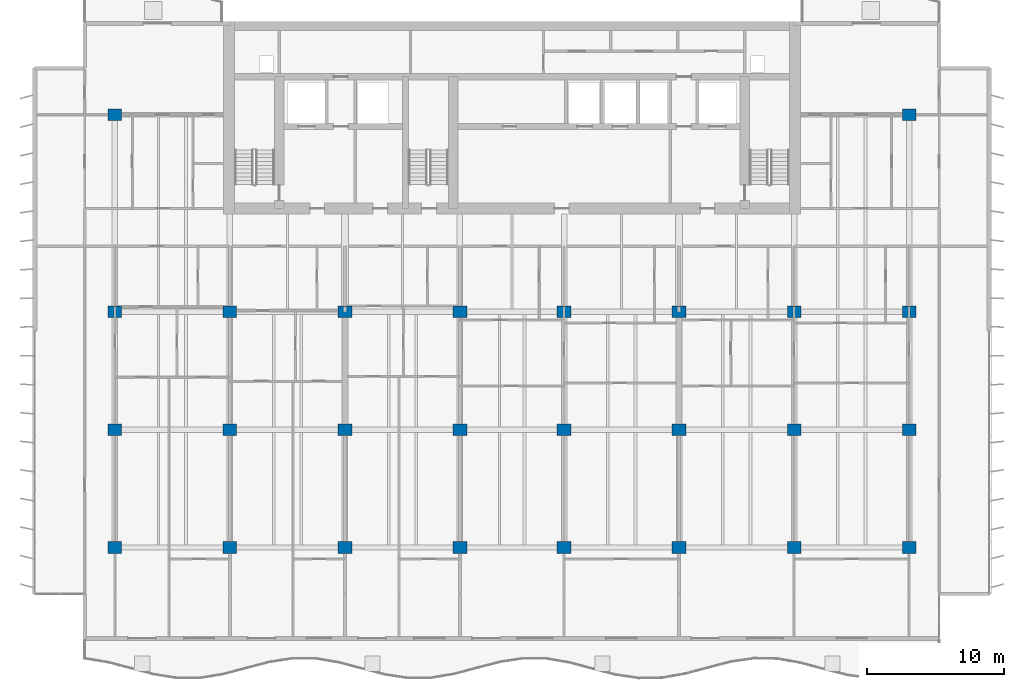
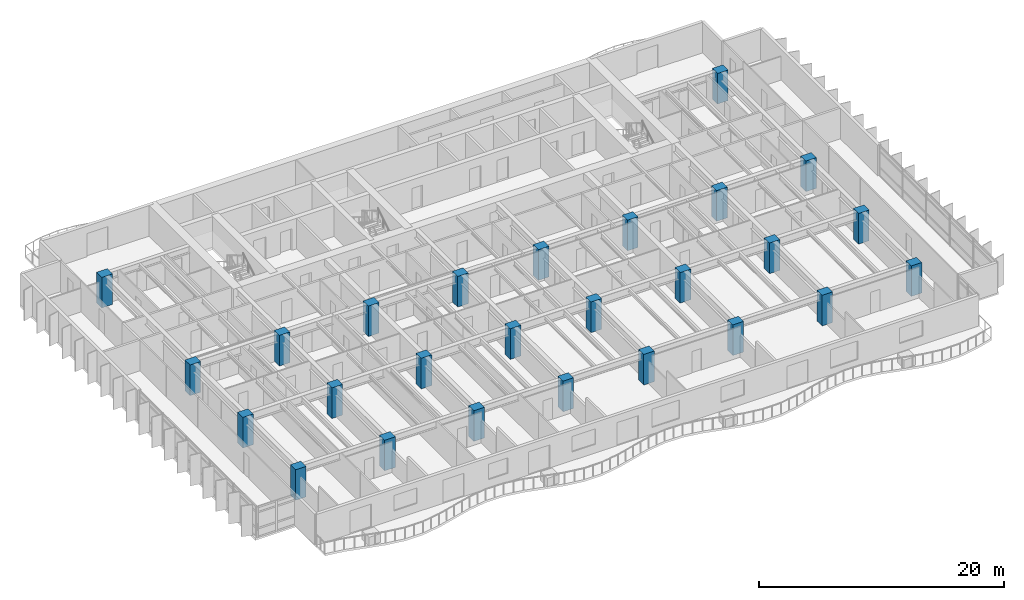
# One storey, part 1 of 16: 26 columns.
"""IFC4 building model written with IfcOpenShell, lengths in metres."""

from ifc_helpers import new_model, si_unit, direction, frame, origin, origin_2d, place, context, subcontext, project, spatial, rectangle, extrude, material, material_profile, profile_set, type_object, element, save


model = new_model("IFC4")

# Units and contexts
model_context = context("Model", 3, precision=1e-05, world=origin(), true_north=direction((0.0, 1.0)))
body_context = subcontext(model_context, "Body", "Model", "MODEL_VIEW")
ifc_project = project(units=[si_unit("LENGTHUNIT", "METRE"), si_unit("AREAUNIT", "SQUARE_METRE"), si_unit("VOLUMEUNIT", "CUBIC_METRE"), si_unit("PLANEANGLEUNIT", "RADIAN"), si_unit("MASSUNIT", "GRAM", prefix="KILO")], contexts=[model_context])

# Site, building, storey
site_placement = place(None, origin())
site = spatial("IfcSite", under=ifc_project, at=site_placement, CompositionType="ELEMENT")
building_placement = place(site_placement, origin())
building = spatial("IfcBuilding", under=site, at=building_placement, Name="Caelmar Bay Residences", CompositionType="ELEMENT")
storey_placement = place(building_placement, frame((0.0, 0.0, 142.199951171875)))
storey = spatial("IfcBuildingStorey", under=building, at=storey_placement, Name="L39", CompositionType="ELEMENT", Elevation=142.199951171875)

# Columns
ifc_material = material(Name="Concrete f'c 70 MPa (10,000 psi)", Category="concrete")
ifc_material_profile = material_profile(ifc_material, rectangle(XDim=1.0, YDim=0.85009765625, at=origin_2d()), Name="RC-COL-1000X850")
ifc_profile_set = profile_set([ifc_material_profile], Name="Concrete f'c 70 MPa (10,000 psi)")
column_type = type_object("IfcColumnType", Name="COL-RC-1000X850", PredefinedType="COLUMN", material=ifc_profile_set)
for number, where, z_axis, x_axis, name in (
    (1, (9.89990234375, 12.199951171875, 0.0), (0.0, 0.0, 1.0), (1.0, 0.0, 0.0), "L39 Column (9.90,12.20)"),
    (2, (18.300048828125, 12.199951171875, 0.0), (0.0, 0.0, 1.0), (1.0, 0.0, 0.0), "L39 Column (18.30,12.20)"),
    (3, (26.699951171875, 12.199951171875, 0.0), (0.0, 0.0, 1.0), (1.0, 0.0, 0.0), "L39 Column (26.70,12.20)"),
    (4, (35.10009765625, 12.199951171875, 0.0), (0.0, 0.0, 1.0), (1.0, 0.0, 0.0), "L39 Column (35.10,12.20)"),
    (5, (42.699951171875, 12.199951171875, 0.0), (0.0, 0.0, 1.0), (1.0, 0.0, 0.0), "L39 Column (42.70,12.20)"),
    (6, (51.10009765625, 12.199951171875, 0.0), (0.0, 0.0, 1.0), (1.0, 0.0, 0.0), "L39 Column (51.10,12.20)"),
    (7, (59.5, 12.199951171875, 0.0), (0.0, 0.0, 1.0), (1.0, 0.0, 0.0), "L39 Column (59.50,12.20)"),
    (8, (67.89990234375, 12.199951171875, 0.0), (0.0, 0.0, 1.0), (1.0, 0.0, 0.0), "L39 Column (67.90,12.20)"),
    (9, (9.89990234375, 20.800048828125, 0.0), (0.0, 0.0, 1.0), (1.0, 0.0, 0.0), "L39 Column (9.90,20.80)"),
    (10, (18.300048828125, 20.800048828125, 0.0), (0.0, 0.0, 1.0), (1.0, 0.0, 0.0), "L39 Column (18.30,20.80)"),
    (11, (26.699951171875, 20.800048828125, 0.0), (0.0, 0.0, 1.0), (1.0, 0.0, 0.0), "L39 Column (26.70,20.80)"),
    (12, (35.10009765625, 20.800048828125, 0.0), (0.0, 0.0, 1.0), (1.0, 0.0, 0.0), "L39 Column (35.10,20.80)"),
    (13, (42.699951171875, 20.800048828125, 0.0), (0.0, 0.0, 1.0), (1.0, 0.0, 0.0), "L39 Column (42.70,20.80)"),
    (14, (51.10009765625, 20.800048828125, 0.0), (0.0, 0.0, 1.0), (1.0, 0.0, 0.0), "L39 Column (51.10,20.80)"),
    (15, (59.5, 20.800048828125, 0.0), (0.0, 0.0, 1.0), (1.0, 0.0, 0.0), "L39 Column (59.50,20.80)"),
    (16, (67.89990234375, 20.800048828125, 0.0), (0.0, 0.0, 1.0), (1.0, 0.0, 0.0), "L39 Column (67.90,20.80)"),
    (17, (9.89990234375, 29.39990234375, 0.0), (0.0, 0.0, 1.0), (1.0, 0.0, 0.0), "L39 Column (9.90,29.40)"),
    (18, (18.300048828125, 29.39990234375, 0.0), (0.0, 0.0, 1.0), (1.0, 0.0, 0.0), "L39 Column (18.30,29.40)"),
    (19, (26.699951171875, 29.39990234375, 0.0), (0.0, 0.0, 1.0), (1.0, 0.0, 0.0), "L39 Column (26.70,29.40)"),
    (20, (35.10009765625, 29.39990234375, 0.0), (0.0, 0.0, 1.0), (1.0, 0.0, 0.0), "L39 Column (35.10,29.40)"),
    (21, (42.699951171875, 29.39990234375, 0.0), (0.0, 0.0, 1.0), (1.0, 0.0, 0.0), "L39 Column (42.70,29.40)"),
    (22, (51.10009765625, 29.39990234375, 0.0), (0.0, 0.0, 1.0), (1.0, 0.0, 0.0), "L39 Column (51.10,29.40)"),
    (23, (59.5, 29.39990234375, 0.0), (0.0, 0.0, 1.0), (1.0, 0.0, 0.0), "L39 Column (59.50,29.40)"),
    (24, (67.89990234375, 29.39990234375, 0.0), (0.0, 0.0, 1.0), (1.0, 0.0, 0.0), "L39 Column (67.90,29.40)"),
    (25, (9.89990234375, 43.800048828125, 0.0), (0.0, 0.0, 1.0), (1.0, 0.0, 0.0), "L39 Column (9.90,43.80)"),
    (26, (67.89990234375, 43.800048828125, 0.0), (0.0, 0.0, 1.0), (1.0, 0.0, 0.0), "L39 Column (67.90,43.80)"),
):
    element("IfcColumn", number, at=place(storey_placement, frame(where, z_axis=z_axis, x_axis=x_axis)), inside=storey, type_object=column_type, Name=name, PredefinedType="COLUMN", context=body_context, shape_type="SweptSolid", body=[
        extrude(rectangle(XDim=1.0, YDim=0.85009765625, at=origin_2d()), origin(), (0.0, 0.0, 1.0), 3.050048828125),
    ])

save(model, "model.ifc")
